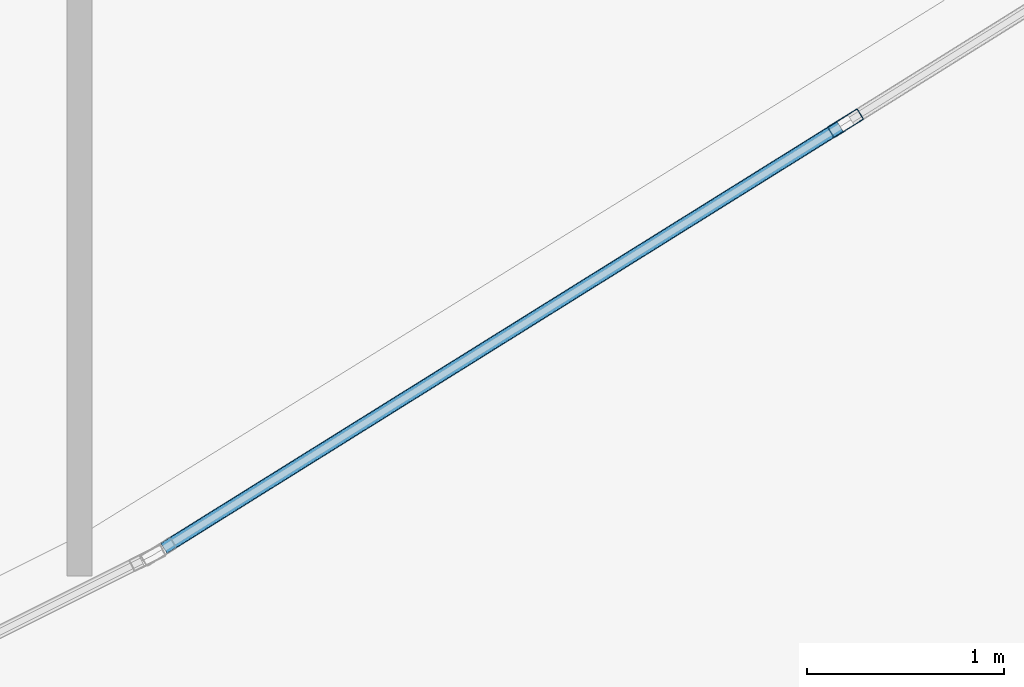
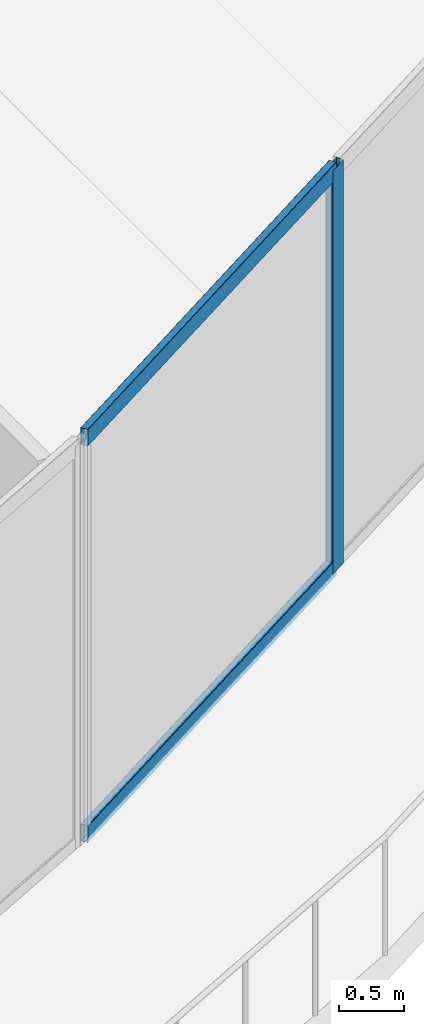
# One storey, part 10 of 36: 3 members, 1 element without a shape of its own.
"""IFC4 building model written with IfcOpenShell, lengths in metres."""

from ifc_helpers import new_model, si_unit, direction, frame, origin, origin_2d, place, context, subcontext, project, spatial, hollow_rectangle, extrude, material, layer, layer_set, material_profile, profile_set, type_object, element, aggregate, save


model = new_model("IFC4")

# Units and contexts
model_context = context("Model", 3, precision=1e-05, world=origin(), true_north=direction((0.0, 1.0)))
body_context = subcontext(model_context, "Body", "Model", "MODEL_VIEW")
ifc_project = project(units=[si_unit("LENGTHUNIT", "METRE"), si_unit("AREAUNIT", "SQUARE_METRE"), si_unit("VOLUMEUNIT", "CUBIC_METRE"), si_unit("PLANEANGLEUNIT", "RADIAN"), si_unit("MASSUNIT", "GRAM", prefix="KILO")], contexts=[model_context])

# Site, building, storey
site_placement = place(None, origin())
site = spatial("IfcSite", under=ifc_project, at=site_placement, CompositionType="ELEMENT")
building_placement = place(site_placement, origin())
building = spatial("IfcBuilding", under=site, at=building_placement, Name="Qorvath Tower", CompositionType="ELEMENT")
storey_placement = place(building_placement, frame((0.0, 0.0, 192.89990234375)))
storey = spatial("IfcBuildingStorey", under=building, at=storey_placement, Name="L44", CompositionType="ELEMENT", Elevation=192.89990234375)

# Curtain wall, members
ifc_material_1 = material(Name="Anodised aluminium and triple low-E glass", Category="aluminium")
ifc_layer = layer(ifc_material_1, 0.179931640625)
ifc_layer_set = layer_set([ifc_layer], Name="CW-SYS-3")
curtain_wall_type = type_object("IfcCurtainWallType", Name="CW-SYS-3", PredefinedType="NOTDEFINED", material=ifc_layer_set)
curtain_wall_placement = place(storey_placement, origin())
curtain_wall = element("IfcCurtainWall", 1, at=curtain_wall_placement, inside=storey, type_object=curtain_wall_type, Name="Curtain Wall CW-3 CW-T-L44-4.1", PredefinedType="NOTDEFINED")
ifc_material_2 = material(Name="Anodised aluminium 6063-T6", Category="aluminium")
ifc_material_profile_1 = material_profile(ifc_material_2, hollow_rectangle(XDim=0.06494140625, YDim=0.179931640625, WallThickness=0.00341796875, InnerFilletRadius=0.00341796875, OuterFilletRadius=0.007080078125, at=origin_2d()), Name="CWM 180x65")
ifc_profile_set_1 = profile_set([ifc_material_profile_1], Name="Anodised aluminium 6063-T6")
member_type_1 = type_object("IfcMemberType", Name="CWM-180", PredefinedType="MULLION", material=ifc_profile_set_1)
member_1_placement = place(storey_placement, frame((-9.25341796875, -23.590576171875, 0.0), z_axis=(0.0, 0.0, 1.0), x_axis=(-0.529206179006, 0.848493264618, 0.0)))
member_1 = element("IfcMember", 2, at=member_1_placement, type_object=member_type_1, Name="CW-3 mullion 2", PredefinedType="MULLION", context=body_context, shape_type="SweptSolid", body=[
    extrude(hollow_rectangle(XDim=0.06494140625, YDim=0.179931640625, WallThickness=0.00341796875, InnerFilletRadius=0.00341796875, OuterFilletRadius=0.007080078125, at=origin_2d()), origin(), (0.0, 0.0, 1.0), 3.780029296875),
])
ifc_material_3 = material(Name="Anodised aluminium 6063-T6", Category="aluminium")
ifc_material_profile_2 = material_profile(ifc_material_3, hollow_rectangle(XDim=0.06494140625, YDim=0.159912109375, WallThickness=0.00341796875, InnerFilletRadius=0.00341796875, OuterFilletRadius=0.007080078125, at=origin_2d()), Name="CWT 160x65")
ifc_profile_set_2 = profile_set([ifc_material_profile_2], Name="Anodised aluminium 6063-T6")
member_type_2 = type_object("IfcMemberType", Name="CWT-160", PredefinedType="USERDEFINED", material=ifc_profile_set_2)
member_2_placement = place(storey_placement, frame((-12.720458984375, -25.7529296875, 0.032470703125), z_axis=(0.848512223459, 0.529175780474, 0.0), x_axis=(-0.529175780474, 0.848512223459, 0.0)))
member_2 = element("IfcMember", 3, at=member_2_placement, type_object=member_type_2, Name="CW-3 transom 1.1", ObjectType="TRANSOM", PredefinedType="USERDEFINED", context=body_context, shape_type="SweptSolid", body=[
    extrude(hollow_rectangle(XDim=0.06494140625, YDim=0.159912109375, WallThickness=0.00341796875, InnerFilletRadius=0.00341796875, OuterFilletRadius=0.007080078125, at=origin_2d()), origin(), (0.0, 0.0, 1.0), 4.053466796875),
])
member_3_placement = place(storey_placement, frame((-12.720458984375, -25.7529296875, 3.74755859375), z_axis=(0.848512223459, 0.529175780474, 0.0), x_axis=(-0.529175780474, 0.848512223459, 0.0)))
member_3 = element("IfcMember", 4, at=member_3_placement, type_object=member_type_2, Name="CW-3 transom 1.2", ObjectType="TRANSOM", PredefinedType="USERDEFINED", context=body_context, shape_type="SweptSolid", body=[
    extrude(hollow_rectangle(XDim=0.06494140625, YDim=0.159912109375, WallThickness=0.00341796875, InnerFilletRadius=0.00341796875, OuterFilletRadius=0.007080078125, at=origin_2d()), origin(), (0.0, 0.0, 1.0), 4.053466796875),
])
aggregate(curtain_wall, [member_1, member_2, member_3])

save(model, "model.ifc")
